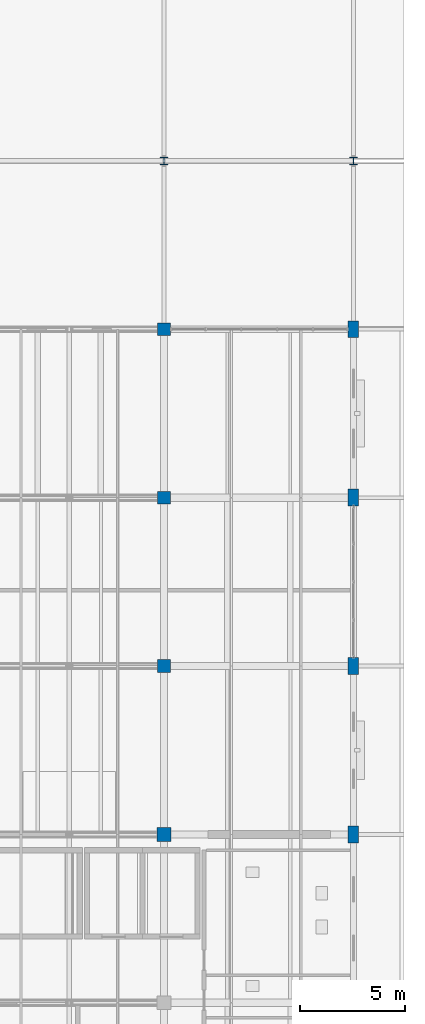
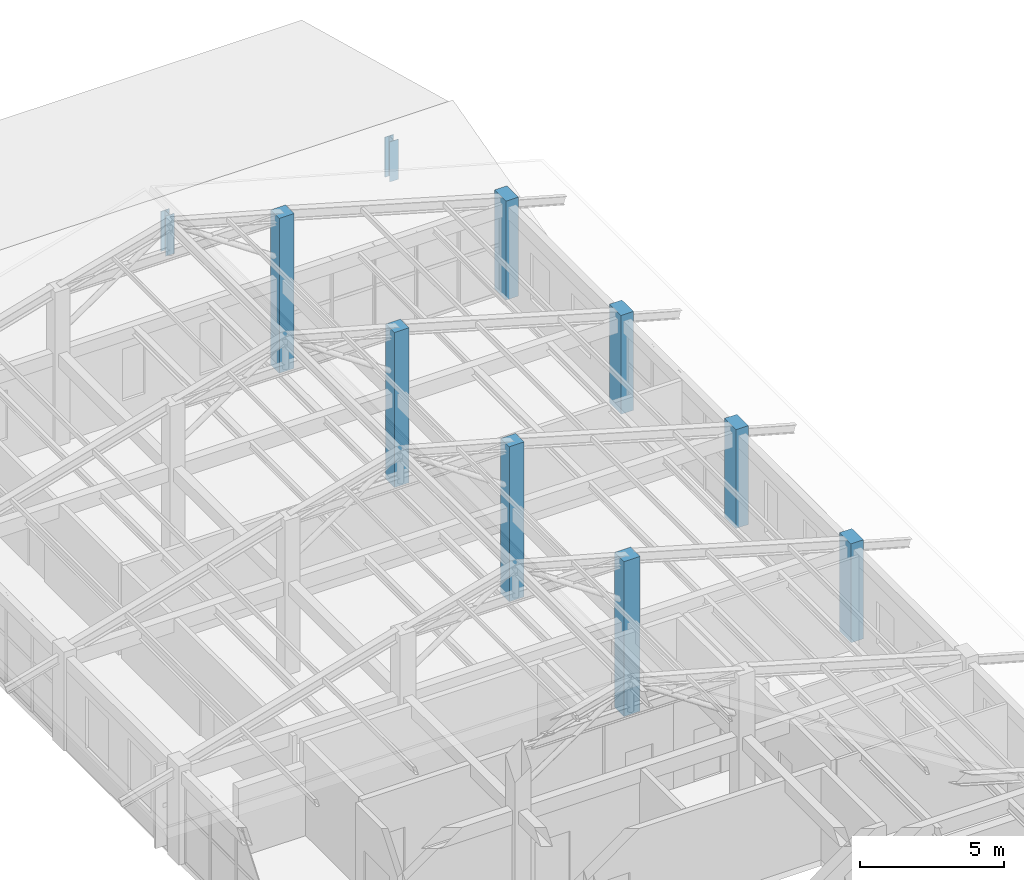
# One storey, part 7 of 58: 10 columns.
"""IFC4 building model written with IfcOpenShell, lengths in metres."""

from ifc_helpers import new_model, si_unit, derived_unit, direction, frame, origin, origin_2d, place, context, subcontext, project, spatial, rectangle, i_section, extrude, material, material_profile, profile_set, type_object, element, save


model = new_model("IFC4")

# Units and contexts
model_context = context("Model", 3, precision=1e-05, world=origin(), true_north=direction((0.0, 1.0)))
body_context = subcontext(model_context, "Body", "Model", "MODEL_VIEW")
ifc_project = project(units=[si_unit("LENGTHUNIT", "METRE"), si_unit("AREAUNIT", "SQUARE_METRE"), si_unit("VOLUMEUNIT", "CUBIC_METRE"), si_unit("PLANEANGLEUNIT", "RADIAN"), si_unit("MASSUNIT", "GRAM", prefix="KILO"), derived_unit("THERMALTRANSMITTANCEUNIT", [(si_unit("MASSUNIT", "GRAM", prefix="KILO"), 1), (si_unit("TIMEUNIT", "SECOND"), -3), (si_unit("THERMODYNAMICTEMPERATUREUNIT", "KELVIN"), -1)])], contexts=[model_context])

# Site, building, storey
site_placement = place(None, origin())
site = spatial("IfcSite", under=ifc_project, at=site_placement, CompositionType="ELEMENT")
building_placement = place(site_placement, origin())
building = spatial("IfcBuilding", under=site, at=building_placement, Name="Zhenchuan Archway Interchange", CompositionType="ELEMENT")
storey_placement = place(building_placement, frame((0.0, 0.0, 22.800048828125)))
storey = spatial("IfcBuildingStorey", under=building, at=storey_placement, Name="L05", CompositionType="ELEMENT", Elevation=22.800048828125)

# Columns
ifc_material_1 = material(Name="Concrete C40", Category="concrete")
ifc_material_profile_1 = material_profile(ifc_material_1, rectangle(XDim=0.5, YDim=0.800048828125, at=origin_2d()), Name="RC 500x800")
ifc_profile_set_1 = profile_set([ifc_material_profile_1], Name="Concrete C40")
column_type_1 = type_object("IfcColumnType", Name="COL_RC_500x800_T", PredefinedType="COLUMN", material=ifc_profile_set_1)
for number, where, z_axis, x_axis, name in (
    (1, (171.0, 64.0, 0.0), (0.0, 0.0, 1.0), (1.0, 0.0, 0.0), "Column 20/J (L05)"),
    (2, (171.0, 72.0, 0.0), (0.0, 0.0, 1.0), (1.0, 0.0, 0.0), "Column 20/K (L05)"),
    (3, (171.0, 80.0, 0.0), (0.0, 0.0, 1.0), (1.0, 0.0, 0.0), "Column 20/L (L05)"),
    (4, (171.0, 88.0, 0.0), (0.0, 0.0, 1.0), (1.0, 0.0, 0.0), "Column 20/M (L05)"),
):
    element("IfcColumn", number, at=place(storey_placement, frame(where, z_axis=z_axis, x_axis=x_axis)), inside=storey, type_object=column_type_1, Name=name, PredefinedType="COLUMN", context=body_context, shape_type="SweptSolid", body=[
        extrude(rectangle(XDim=0.5, YDim=0.800048828125, at=origin_2d()), origin(), (0.0, 0.0, 1.0), 4.199951171875),
    ])
ifc_material_profile_2 = material_profile(ifc_material_1, rectangle(XDim=0.60009765625, YDim=0.60009765625, at=origin_2d()), Name="RC 600x600")
ifc_profile_set_2 = profile_set([ifc_material_profile_2], Name="Concrete C40")
column_type_2 = type_object("IfcColumnType", Name="COL_RC_600_T", PredefinedType="COLUMN", material=ifc_profile_set_2)
for number, where, z_axis, x_axis, name in (
    (5, (162.0, 72.0, 0.0), (0.0, 0.0, 1.0), (1.0, 0.0, 0.0), "Column 19/K (L05)"),
    (6, (162.0, 80.0, 0.0), (0.0, 0.0, 1.0), (1.0, 0.0, 0.0), "Column 19/L (L05)"),
    (7, (162.0, 88.0, 0.0), (0.0, 0.0, 1.0), (1.0, 0.0, 0.0), "Column 19/M (L05)"),
):
    element("IfcColumn", number, at=place(storey_placement, frame(where, z_axis=z_axis, x_axis=x_axis)), inside=storey, type_object=column_type_2, Name=name, PredefinedType="COLUMN", context=body_context, shape_type="SweptSolid", body=[
        extrude(rectangle(XDim=0.60009765625, YDim=0.60009765625, at=origin_2d()), origin(), (0.0, 0.0, 1.0), 6.579833984375),
    ])
ifc_material_profile_3 = material_profile(ifc_material_1, rectangle(XDim=0.64990234375, YDim=0.64990234375, at=origin_2d()), Name="RC 650x650")
ifc_profile_set_3 = profile_set([ifc_material_profile_3], Name="Concrete C40")
column_type_3 = type_object("IfcColumnType", Name="COL_RC_650_T", PredefinedType="COLUMN", material=ifc_profile_set_3)
column_placement = place(storey_placement, frame((162.0, 64.0, 0.0), z_axis=(0.0, 0.0, 1.0), x_axis=(1.0, 0.0, 0.0)))
element("IfcColumn", 8, at=column_placement, inside=storey, type_object=column_type_3, Name="Column 19/J (L05)", PredefinedType="COLUMN", context=body_context, shape_type="SweptSolid", body=[
    extrude(rectangle(XDim=0.64990234375, YDim=0.64990234375, at=origin_2d()), origin(), (0.0, 0.0, 1.0), 6.579833984375),
])
ifc_material_2 = material(Name="Steel Q355", Category="steel")
ifc_material_profile_4 = material_profile(ifc_material_2, i_section(OverallWidth=0.35009765625, OverallDepth=0.35009765625, WebThickness=0.011962890625, FlangeThickness=0.01904296875, FilletRadius=0.02001953125, at=origin_2d()), Name="HW 350x350")
ifc_profile_set_4 = profile_set([ifc_material_profile_4], Name="Steel Q355")
column_type_4 = type_object("IfcColumnType", Name="COL_STL_HW350", PredefinedType="COLUMN", material=ifc_profile_set_4)
for number, where, z_axis, x_axis, name in (
    (9, (162.0, 96.0, 0.0), (0.0, 0.0, 1.0), (1.0, 0.0, 0.0), "East bar end gable ridge column 19/N (L05)"),
    (10, (171.0, 96.0, 0.0), (0.0, 0.0, 1.0), (1.0, 0.0, 0.0), "East bar end gable ridge column 20/N (L05)"),
):
    element("IfcColumn", number, at=place(storey_placement, frame(where, z_axis=z_axis, x_axis=x_axis)), inside=storey, type_object=column_type_4, Name=name, PredefinedType="COLUMN", context=body_context, shape_type="SweptSolid", body=[
        extrude(i_section(OverallWidth=0.35009765625, OverallDepth=0.35009765625, WebThickness=0.011962890625, FlangeThickness=0.01904296875, FilletRadius=0.02001953125, at=origin_2d()), origin(), (0.0, 0.0, 1.0), 1.699951171875),
    ])

save(model, "model.ifc")
